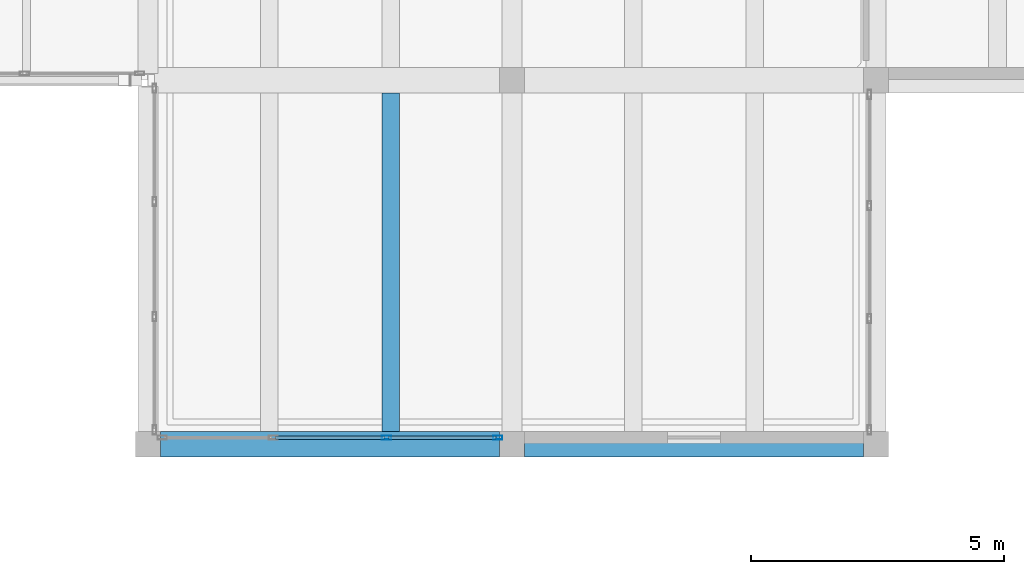
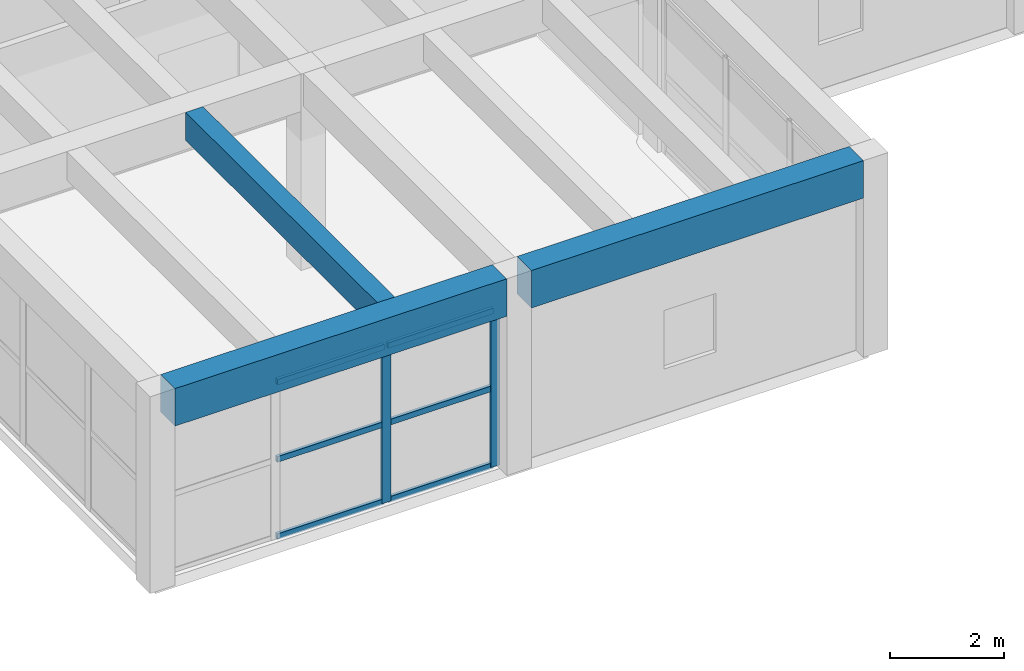
# One storey, part 48 of 153: 8 members, 3 beams, 1 element without a shape of its own.
"""IFC4 building model written with IfcOpenShell, lengths in metres."""

from ifc_helpers import new_model, si_unit, direction, frame, origin, origin_2d, place, context, subcontext, project, spatial, rectangle, hollow_rectangle, extrude, material, material_profile, profile_set, type_object, element, aggregate, save


model = new_model("IFC4")

# Units and contexts
model_context = context("Model", 3, precision=1e-05, world=origin(), true_north=direction((0.0, 1.0)))
body_context = subcontext(model_context, "Body", "Model", "MODEL_VIEW")
ifc_project = project(units=[si_unit("LENGTHUNIT", "METRE"), si_unit("AREAUNIT", "SQUARE_METRE"), si_unit("VOLUMEUNIT", "CUBIC_METRE"), si_unit("PLANEANGLEUNIT", "RADIAN"), si_unit("MASSUNIT", "GRAM", prefix="KILO")], contexts=[model_context])

# Site, building, storey
site_placement = place(None, origin())
site = spatial("IfcSite", under=ifc_project, at=site_placement, CompositionType="ELEMENT")
building_placement = place(site_placement, origin())
building = spatial("IfcBuilding", under=site, at=building_placement, Name="Bramvelor Terrace Health Centre", CompositionType="ELEMENT")
storey_placement = place(building_placement, frame((0.0, 0.0, 4.800048828125)))
storey = spatial("IfcBuildingStorey", under=building, at=storey_placement, Name="L02", CompositionType="ELEMENT", Elevation=4.800048828125)

# Beams
ifc_material_1 = material(Name="Concrete C40/50", Category="concrete")
ifc_material_profile_1 = material_profile(ifc_material_1, rectangle(XDim=0.5, YDim=0.800048828125, at=origin_2d()), Name="RC 500x800")
ifc_profile_set_1 = profile_set([ifc_material_profile_1], Name="Concrete C40/50")
beam_type_1 = type_object("IfcBeamType", Name="BM-RC-G800", PredefinedType="BEAM", material=ifc_profile_set_1)
for number, where, z_axis, x_axis, name in (
    (1, (101.050048828125, 43.199951171875, 3.800048828125), (1.0, 0.0, 0.0), (0.0, 1.0, 0.0), "L02 Floor Girder"),
    (2, (108.25, 43.199951171875, 3.800048828125), (1.0, 0.0, 0.0), (0.0, 1.0, 0.0), "L02 Floor Girder"),
):
    element("IfcBeam", number, at=place(storey_placement, frame(where, z_axis=z_axis, x_axis=x_axis)), inside=storey, type_object=beam_type_1, Name=name, PredefinedType="BEAM", context=body_context, shape_type="SweptSolid", body=[
        extrude(rectangle(XDim=0.5, YDim=0.800048828125, at=origin_2d()), origin(), (0.0, 0.0, 1.0), 6.699951171875),
    ])
ifc_material_2 = material(Name="Concrete C40/50", Category="concrete")
ifc_material_profile_2 = material_profile(ifc_material_2, rectangle(XDim=0.35009765625, YDim=0.60009765625, at=origin_2d()), Name="RC 350x600")
ifc_profile_set_2 = profile_set([ifc_material_profile_2], Name="Concrete C40/50")
beam_type_2 = type_object("IfcBeamType", Name="BM-RC-J600", PredefinedType="JOIST", material=ifc_profile_set_2)
beam_placement = place(storey_placement, frame((105.60009765625, 43.449951171875, 3.89990234375), z_axis=(0.0, 1.0, 0.0), x_axis=(-1.0, 0.0, 0.0)))
element("IfcBeam", 3, at=beam_placement, inside=storey, type_object=beam_type_2, Name="L02 Secondary Floor Joist", PredefinedType="JOIST", context=body_context, shape_type="SweptSolid", body=[
    extrude(rectangle(XDim=0.35009765625, YDim=0.60009765625, at=origin_2d()), origin(), (0.0, 0.0, 1.0), 6.699951171875),
])

# Curtain wall, members
ifc_material_3 = material(Name="Anodized aluminium and double low-E glass", Category="aluminium")
curtain_wall_type = type_object("IfcCurtainWallType", Name="CW-SYS-16", PredefinedType="NOTDEFINED", material=ifc_material_3)
curtain_wall_placement = place(storey_placement, origin())
curtain_wall = element("IfcCurtainWall", 4, at=curtain_wall_placement, inside=storey, type_object=curtain_wall_type, Name="L02 Unitized Curtain Wall 112", PredefinedType="NOTDEFINED")
ifc_material_4 = material(Name="Anodized aluminium 6063-T6", Category="aluminium")
ifc_material_profile_3 = material_profile(ifc_material_4, hollow_rectangle(XDim=0.074951171875, YDim=0.179931640625, WallThickness=0.00341796875, at=origin_2d()), Name="ALU-MUL 75x180x3.5")
ifc_profile_set_3 = profile_set([ifc_material_profile_3], Name="Anodized aluminium 6063-T6")
member_type_1 = type_object("IfcMemberType", Name="CW-MUL-65x180", PredefinedType="MULLION", material=ifc_profile_set_3)
member_1_placement = place(storey_placement, frame((107.717529296875, 43.330078125, 0.0), z_axis=(0.0, 0.0, 1.0), x_axis=(0.0, -1.0, 0.0)))
member_1 = element("IfcMember", 5, at=member_1_placement, type_object=member_type_1, Name="CW-16 mullion 1", PredefinedType="MULLION", context=body_context, shape_type="SweptSolid", body=[
    extrude(hollow_rectangle(XDim=0.074951171875, YDim=0.179931640625, WallThickness=0.00341796875, at=origin_2d()), origin(), (0.0, 0.0, 1.0), 3.35986328125),
])
member_2_placement = place(storey_placement, frame((105.518310546875, 43.330078125, 0.0), z_axis=(0.0, 0.0, 1.0), x_axis=(0.0, -1.0, 0.0)))
member_2 = element("IfcMember", 6, at=member_2_placement, type_object=member_type_1, Name="CW-16 mullion 2", PredefinedType="MULLION", context=body_context, shape_type="SweptSolid", body=[
    extrude(hollow_rectangle(XDim=0.074951171875, YDim=0.179931640625, WallThickness=0.00341796875, at=origin_2d()), origin(), (0.0, 0.0, 1.0), 3.35986328125),
])
ifc_material_5 = material(Name="Anodized aluminium 6063-T6", Category="aluminium")
ifc_material_profile_4 = material_profile(ifc_material_5, hollow_rectangle(XDim=0.06494140625, YDim=0.1201171875, WallThickness=0.0029296875, at=origin_2d()), Name="ALU-TRN 65x120x3.0")
ifc_profile_set_4 = profile_set([ifc_material_profile_4], Name="Anodized aluminium 6063-T6")
member_type_2 = type_object("IfcMemberType", Name="CW-TRN-65x150", PredefinedType="USERDEFINED", material=ifc_profile_set_4)
member_3_placement = place(storey_placement, frame((107.679931640625, 43.330078125, 0.032470703125), z_axis=(-1.0, 0.0, 0.0), x_axis=(0.0, -1.0, 0.0)))
member_3 = element("IfcMember", 7, at=member_3_placement, type_object=member_type_2, Name="CW-16 transom 1.1", ObjectType="TRANSOM", PredefinedType="USERDEFINED", context=body_context, shape_type="SweptSolid", body=[
    extrude(hollow_rectangle(XDim=0.06494140625, YDim=0.1201171875, WallThickness=0.0029296875, at=origin_2d()), origin(), (0.0, 0.0, 1.0), 2.1240234375),
])
member_4_placement = place(storey_placement, frame((107.679931640625, 43.330078125, 1.679931640625), z_axis=(-1.0, 0.0, 0.0), x_axis=(0.0, -1.0, 0.0)))
member_4 = element("IfcMember", 8, at=member_4_placement, type_object=member_type_2, Name="CW-16 transom 1.2", ObjectType="TRANSOM", PredefinedType="USERDEFINED", context=body_context, shape_type="SweptSolid", body=[
    extrude(hollow_rectangle(XDim=0.06494140625, YDim=0.1201171875, WallThickness=0.0029296875, at=origin_2d()), origin(), (0.0, 0.0, 1.0), 2.1240234375),
])
member_5_placement = place(storey_placement, frame((107.679931640625, 43.330078125, 3.327392578125), z_axis=(-1.0, 0.0, 0.0), x_axis=(0.0, -1.0, 0.0)))
member_5 = element("IfcMember", 9, at=member_5_placement, type_object=member_type_2, Name="CW-16 transom 1.3", ObjectType="TRANSOM", PredefinedType="USERDEFINED", context=body_context, shape_type="SweptSolid", body=[
    extrude(hollow_rectangle(XDim=0.06494140625, YDim=0.1201171875, WallThickness=0.0029296875, at=origin_2d()), origin(), (0.0, 0.0, 1.0), 2.1240234375),
])
member_6_placement = place(storey_placement, frame((105.480712890625, 43.330078125, 0.032470703125), z_axis=(-1.0, 0.0, 0.0), x_axis=(0.0, -1.0, 0.0)))
member_6 = element("IfcMember", 10, at=member_6_placement, type_object=member_type_2, Name="CW-16 transom 2.1", ObjectType="TRANSOM", PredefinedType="USERDEFINED", context=body_context, shape_type="SweptSolid", body=[
    extrude(hollow_rectangle(XDim=0.06494140625, YDim=0.1201171875, WallThickness=0.0029296875, at=origin_2d()), origin(), (0.0, 0.0, 1.0), 2.16162109375),
])
member_7_placement = place(storey_placement, frame((105.480712890625, 43.330078125, 1.679931640625), z_axis=(-1.0, 0.0, 0.0), x_axis=(0.0, -1.0, 0.0)))
member_7 = element("IfcMember", 11, at=member_7_placement, type_object=member_type_2, Name="CW-16 transom 2.2", ObjectType="TRANSOM", PredefinedType="USERDEFINED", context=body_context, shape_type="SweptSolid", body=[
    extrude(hollow_rectangle(XDim=0.06494140625, YDim=0.1201171875, WallThickness=0.0029296875, at=origin_2d()), origin(), (0.0, 0.0, 1.0), 2.16162109375),
])
member_8_placement = place(storey_placement, frame((105.480712890625, 43.330078125, 3.327392578125), z_axis=(-1.0, 0.0, 0.0), x_axis=(0.0, -1.0, 0.0)))
member_8 = element("IfcMember", 12, at=member_8_placement, type_object=member_type_2, Name="CW-16 transom 2.3", ObjectType="TRANSOM", PredefinedType="USERDEFINED", context=body_context, shape_type="SweptSolid", body=[
    extrude(hollow_rectangle(XDim=0.06494140625, YDim=0.1201171875, WallThickness=0.0029296875, at=origin_2d()), origin(), (0.0, 0.0, 1.0), 2.16162109375),
])
aggregate(curtain_wall, [member_1, member_2, member_3, member_4, member_5, member_6, member_7, member_8])

save(model, "model.ifc")
